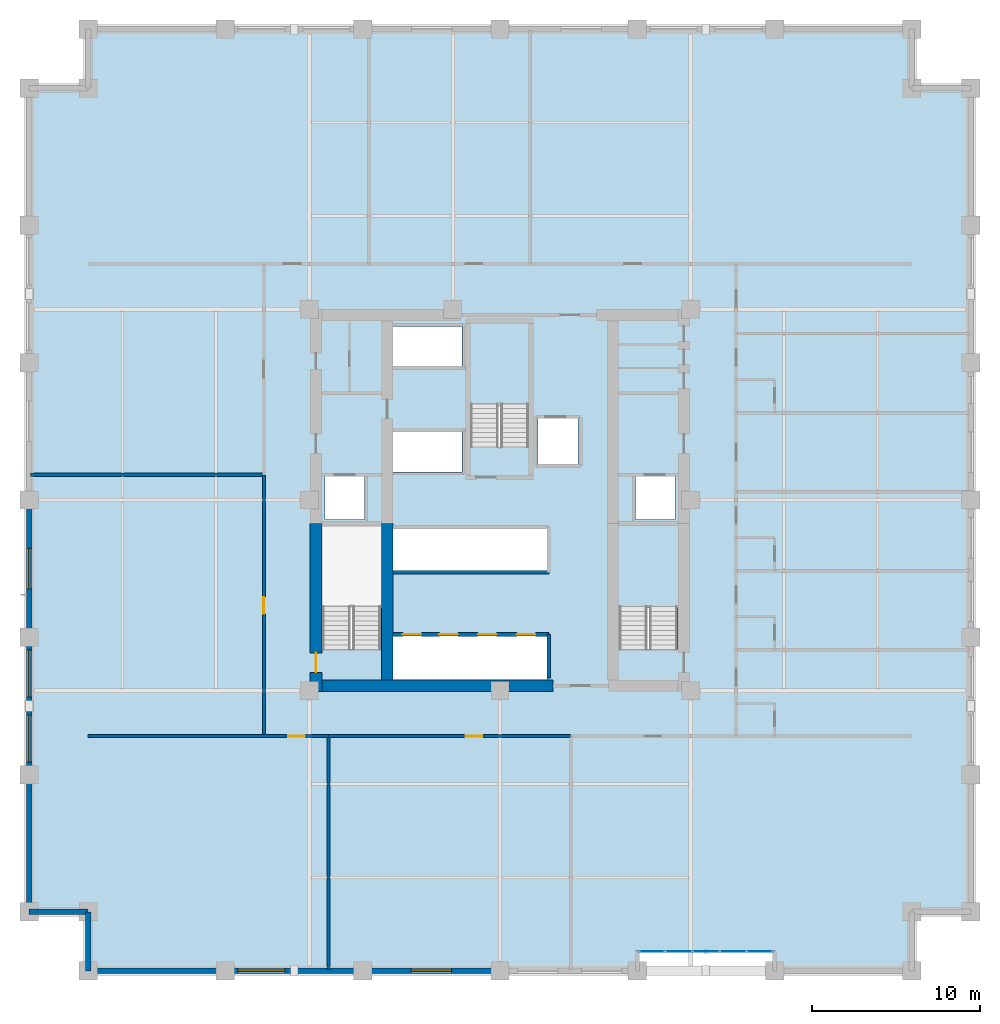
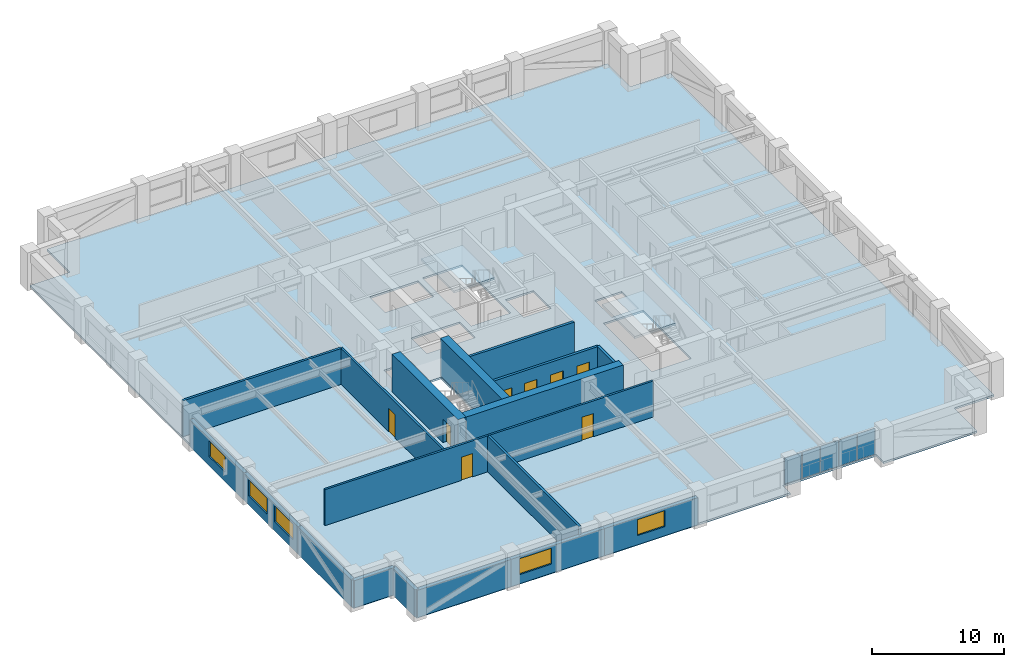
# One storey, part 5 of 11: 19 walls, 8 doors, 5 plates, 5 windows, 3 slabs, 13 openings, 3 elements without a shape of their own.
"""IFC4 building model written with IfcOpenShell, lengths in metres."""

from ifc_helpers import new_model, si_unit, direction, frame, frame_2d, origin, origin_2d, place, context, subcontext, project, spatial, polyline, rectangle, outline, extrude, material, layer, layer_set, type_object, element, fill, aggregate, save


model = new_model("IFC4")

# Units and contexts
model_context = context("Model", 3, precision=1e-05, world=origin(), true_north=direction((0.0, 1.0)))
body_context = subcontext(model_context, "Body", "Model", "MODEL_VIEW")
ifc_project = project(units=[si_unit("LENGTHUNIT", "METRE"), si_unit("AREAUNIT", "SQUARE_METRE"), si_unit("VOLUMEUNIT", "CUBIC_METRE"), si_unit("PLANEANGLEUNIT", "RADIAN"), si_unit("MASSUNIT", "GRAM", prefix="KILO")], contexts=[model_context])

# Site, building, storey
site_placement = place(None, origin())
site = spatial("IfcSite", under=ifc_project, at=site_placement, CompositionType="ELEMENT")
building_placement = place(site_placement, origin())
building = spatial("IfcBuilding", under=site, at=building_placement, Name="Nhamokura Convention Tower", CompositionType="ELEMENT")
storey_placement = place(building_placement, frame((0.0, 0.0, 70.35009765625)))
storey = spatial("IfcBuildingStorey", under=building, at=storey_placement, Name="L16", CompositionType="ELEMENT", Elevation=70.35009765625)

# Curtain wall, plates
ifc_material_1 = material(Name="Anodised bronze aluminium AA6063-T6", Category="aluminium")
ifc_layer_1 = layer(ifc_material_1, 0.1650390625)
ifc_layer_set_1 = layer_set([ifc_layer_1], Name="CWSystem_ScaleSlot_Zone1")
curtain_wall_type = type_object("IfcCurtainWallType", Name="CWSystem_ScaleSlot_Zone1", PredefinedType="NOTDEFINED", material=ifc_layer_set_1)
curtain_wall_placement = place(storey_placement, origin())
curtain_wall = element("IfcCurtainWall", 1, at=curtain_wall_placement, inside=storey, type_object=curtain_wall_type, Name="L16 Curtain Wall ENV-L16-SLOT-S4", PredefinedType="NOTDEFINED")
ifc_material_2 = material(Name="Solar-control bronze low-E double glass", Category="glass")
ifc_layer_2 = layer(ifc_material_2, 0.031982421875)
ifc_layer_set_2 = layer_set([ifc_layer_2], Name="CWGlazedPanel_1")
plate_type = type_object("IfcPlateType", Name="CWGlazedPanel_1", PredefinedType="CURTAIN_PANEL", material=ifc_layer_set_2)
plate_1_placement = place(storey_placement, frame((47.452392578125, 5.14990234375, 0.06494140625), z_axis=(0.0, 0.0, 1.0), x_axis=(-1.0, 0.0, 0.0)))
plate_1 = element("IfcPlate", 2, at=plate_1_placement, type_object=plate_type, Name="CW-03 panel 1.1", PredefinedType="CURTAIN_PANEL", context=body_context, shape_type="SweptSolid", body=[
    extrude(rectangle(XDim=1.51171875, YDim=0.031982421875, at=origin_2d()), origin(), (0.0, 0.0, 1.0), 2.389892578125),
])
plate_2_placement = place(storey_placement, frame((45.859375, 5.14990234375, 0.06494140625), z_axis=(0.0, 0.0, 1.0), x_axis=(-1.0, 0.0, 0.0)))
plate_2 = element("IfcPlate", 3, at=plate_2_placement, type_object=plate_type, Name="CW-03 panel 2.1", PredefinedType="CURTAIN_PANEL", context=body_context, shape_type="SweptSolid", body=[
    extrude(rectangle(XDim=1.54443359375, YDim=0.031982421875, at=origin_2d()), origin(), (0.0, 0.0, 1.0), 2.389892578125),
])
plate_3_placement = place(storey_placement, frame((44.25, 5.14990234375, 0.06494140625), z_axis=(0.0, 0.0, 1.0), x_axis=(-1.0, 0.0, 0.0)))
plate_3 = element("IfcPlate", 4, at=plate_3_placement, type_object=plate_type, Name="CW-03 panel 3.1", PredefinedType="CURTAIN_PANEL", context=body_context, shape_type="SweptSolid", body=[
    extrude(rectangle(XDim=1.54443359375, YDim=0.031982421875, at=origin_2d()), origin(), (0.0, 0.0, 1.0), 2.389892578125),
])
plate_4_placement = place(storey_placement, frame((42.640625, 5.14990234375, 0.06494140625), z_axis=(0.0, 0.0, 1.0), x_axis=(-1.0, 0.0, 0.0)))
plate_4 = element("IfcPlate", 5, at=plate_4_placement, type_object=plate_type, Name="CW-03 panel 4.1", PredefinedType="CURTAIN_PANEL", context=body_context, shape_type="SweptSolid", body=[
    extrude(rectangle(XDim=1.54443359375, YDim=0.031982421875, at=origin_2d()), origin(), (0.0, 0.0, 1.0), 2.389892578125),
])
plate_5_placement = place(storey_placement, frame((41.047607421875, 5.14990234375, 0.06494140625), z_axis=(0.0, 0.0, 1.0), x_axis=(-1.0, 0.0, 0.0)))
plate_5 = element("IfcPlate", 6, at=plate_5_placement, type_object=plate_type, Name="CW-03 panel 5.1", PredefinedType="CURTAIN_PANEL", context=body_context, shape_type="SweptSolid", body=[
    extrude(rectangle(XDim=1.51171875, YDim=0.031982421875, at=origin_2d()), origin(), (0.0, 0.0, 1.0), 2.389892578125),
])
aggregate(curtain_wall, [plate_1, plate_2, plate_3, plate_4, plate_5])

# Slab
ifc_material_3 = material(Name="Concrete C40/50", Category="concrete")
ifc_layer_3 = layer(ifc_material_3, 0.179931640625)
ifc_layer_set_3 = layer_set([ifc_layer_3], Name="HotelFloorSlab_180")
slab_type_1 = type_object("IfcSlabType", Name="HotelFloorSlab_180", PredefinedType="FLOOR", material=ifc_layer_set_3)
slab_1_placement = place(storey_placement, frame((0.0, 0.0, -0.18017578125)))
element("IfcSlab", 7, at=slab_1_placement, inside=storey, type_object=slab_type_1, Name="L16 Structural Floor Slab", PredefinedType="FLOOR", context=body_context, shape_type="SweptSolid", body=[
    extrude(outline(polyline([(7.5, 4.0), (40.166748046875, 4.0), (40.166748046875, 5.14990234375), (48.333251953125, 5.14990234375), (48.333251953125, 4.0), (56.5, 4.0), (56.5, 7.5), (60.0, 7.5), (60.0, 56.5), (56.5, 56.5), (56.5, 60.0), (7.5, 60.0), (7.5, 56.5), (4.0, 56.5), (4.0, 7.5), (7.5, 7.5), (7.5, 4.0)]), holes=[polyline([(24.89990234375, 23.10009765625), (24.89990234375, 30.449951171875), (21.449951171875, 30.449951171875), (21.449951171875, 23.10009765625), (24.89990234375, 23.10009765625)]), polyline([(42.550048828125, 23.10009765625), (42.550048828125, 30.449951171875), (39.10009765625, 30.449951171875), (39.10009765625, 23.10009765625), (42.550048828125, 23.10009765625)]), polyline([(33.699951171875, 35.14990234375), (33.699951171875, 42.5), (30.25, 42.5), (30.25, 35.14990234375), (33.699951171875, 35.14990234375)]), polyline([(21.60009765625, 30.85009765625), (23.949951171875, 30.85009765625), (23.949951171875, 33.39990234375), (21.60009765625, 33.39990234375), (21.60009765625, 30.85009765625)]), polyline([(40.050048828125, 30.85009765625), (42.39990234375, 30.85009765625), (42.39990234375, 33.39990234375), (40.050048828125, 33.39990234375), (40.050048828125, 30.85009765625)]), polyline([(34.25, 34.14990234375), (36.64990234375, 34.14990234375), (36.64990234375, 36.85009765625), (34.25, 36.85009765625), (34.25, 34.14990234375)]), polyline([(25.52001953125, 21.320068359375), (34.800048828125, 21.320068359375), (34.800048828125, 23.89990234375), (25.52001953125, 23.89990234375), (25.52001953125, 21.320068359375)]), polyline([(25.52001953125, 27.800048828125), (34.800048828125, 27.800048828125), (34.800048828125, 30.300048828125), (25.52001953125, 30.300048828125), (25.52001953125, 27.800048828125)]), polyline([(25.52001953125, 33.679931640625), (29.75, 33.679931640625), (29.75, 36.050048828125), (25.52001953125, 36.050048828125), (25.52001953125, 33.679931640625)]), polyline([(25.52001953125, 39.949951171875), (29.75, 39.949951171875), (29.75, 42.320068359375), (25.52001953125, 42.320068359375), (25.52001953125, 39.949951171875)])]), origin(), (0.0, 0.0, 1.0), 0.18017578125),
])

# Stair, slab
ifc_material_4 = material(Name="Concrete C40/50", Category="concrete")
stair_type = type_object("IfcStairType", Name="TowerCoreStair_1650", PredefinedType="HALF_TURN_STAIR", material=ifc_material_4)
stair_1_placement = place(storey_placement, origin())
stair_1 = element("IfcStair", 8, at=stair_1_placement, inside=storey, type_object=stair_type, Name="L16 East Core Smokeproof Stair ST-02", PredefinedType="HALF_TURN_STAIR")
ifc_material_5 = material(Name="Concrete C40/50", Category="concrete")
ifc_layer_4 = layer(ifc_material_5, 0.199951171875)
ifc_layer_set_4 = layer_set([ifc_layer_4], Name="StairLandingSlab_200")
slab_type_2 = type_object("IfcSlabType", Name="StairLandingSlab_200", PredefinedType="LANDING", material=ifc_layer_set_4)
slab_2_placement = place(storey_placement, frame((0.0, 0.0, 1.5498046875)))
slab_2 = element("IfcSlab", 9, at=slab_2_placement, type_object=slab_type_2, Name="ST-02 landing 1", PredefinedType="LANDING", context=body_context, shape_type="SweptSolid", body=[
    extrude(outline(polyline([(42.6298828125, 25.5849609375), (42.6298828125, 30.530029296875), (39.02001953125, 30.530029296875), (39.02001953125, 25.5849609375), (42.6298828125, 25.5849609375)])), origin(), (0.0, 0.0, 1.0), 0.2001953125),
])
aggregate(stair_1, [slab_2])

stair_2_placement = place(storey_placement, origin())
stair_2 = element("IfcStair", 10, at=stair_2_placement, inside=storey, type_object=stair_type, Name="L16 North Core Smokeproof Stair ST-03", PredefinedType="HALF_TURN_STAIR")
slab_3_placement = place(storey_placement, frame((0.0, 0.0, 1.5498046875)))
slab_3 = element("IfcSlab", 11, at=slab_3_placement, type_object=slab_type_2, Name="ST-03 landing 1", PredefinedType="LANDING", context=body_context, shape_type="SweptSolid", body=[
    extrude(outline(polyline([(33.780029296875, 37.635009765625), (33.780029296875, 42.580078125), (30.169921875, 42.580078125), (30.169921875, 37.635009765625), (33.780029296875, 37.635009765625)])), origin(), (0.0, 0.0, 1.0), 0.2001953125),
])
aggregate(stair_2, [slab_3])

# Wall
ifc_material_6 = material(Name="Bronze-pigmented precast concrete C45/55", Category="concrete")
ifc_layer_5 = layer(ifc_material_6, 0.320068359375)
ifc_layer_set_5 = layer_set([ifc_layer_5], Name="BronzePrecastSpandrel_320")
wall_type_1 = type_object("IfcWallType", Name="BronzePrecastSpandrel_320", PredefinedType="USERDEFINED", material=ifc_layer_set_5)
wall_1_placement = place(storey_placement, frame((15.666748046875, 4.0, 0.0), z_axis=(0.0, 0.0, 1.0), x_axis=(-1.0, 0.0, 0.0)))
element("IfcWall", 12, at=wall_1_placement, inside=storey, type_object=wall_type_1, Name="L16 Braced-Bay Precast Wall SOUTH 0", ObjectType="SPANDREL_WALL", PredefinedType="USERDEFINED", context=body_context, shape_type="SweptSolid", body=[
    extrude(rectangle(XDim=8.166748046875, YDim=0.320068359375, at=frame_2d((4.08349609375, 0.0))), origin(), (0.0, 0.0, 1.0), 2.52001953125),
])

# Wall, opening, window
wall_2_placement = place(storey_placement, frame((23.833251953125, 4.0, 0.0), z_axis=(0.0, 0.0, 1.0), x_axis=(-1.0, 0.0, 0.0)))
wall_2 = element("IfcWall", 13, at=wall_2_placement, inside=storey, type_object=wall_type_1, Name="L16 Masonry-Frame Wall SOUTH 1", ObjectType="SPANDREL_WALL", PredefinedType="USERDEFINED", context=body_context, shape_type="SweptSolid", body=[
    extrude(rectangle(XDim=8.16650390625, YDim=0.320068359375, at=frame_2d((4.083251953125, 0.0))), origin(), (0.0, 0.0, 1.0), 2.52001953125),
])
opening_1_placement = place(wall_2_placement, frame((4.625, 0.0, 0.85009765625)))
opening_1 = element("IfcOpeningElement", 14, at=opening_1_placement, cuts=wall_2, Name="Opening W-04", PredefinedType="OPENING", context=body_context, shape_type="SweptSolid", body=[
    extrude(rectangle(XDim=2.800048828125, YDim=1.469970703125, at=frame_2d((1.39990234375, 0.73486328125))), frame((0.0, 0.169921875, 0.0), z_axis=(0.0, -1.0, 0.0), x_axis=(1.0, 0.0, 0.0)), (0.0, 0.0, 1.0), 0.340087890625),
])
ifc_material_7 = material(Name="Solar-control bronze low-E double glass", Category="glass")
window_type_1 = type_object("IfcWindowType", Name="HotelSuiteWindow_2800", PartitioningType="DOUBLE_PANEL_VERTICAL", PredefinedType="WINDOW", material=ifc_material_7)
window_1_placement = place(opening_1_placement, origin())
window_1 = element("IfcWindow", 15, at=window_1_placement, inside=storey, type_object=window_type_1, Name="L16 Facade Window SOUTH 1-3", OverallHeight=1.469970703125, OverallWidth=2.800048828125, PartitioningType="SINGLE_PANEL", PredefinedType="WINDOW", context=body_context, shape_type="SweptSolid", body=[
    extrude(rectangle(XDim=2.800048828125, YDim=1.469970703125, at=frame_2d((1.39990234375, 0.73486328125))), frame((0.0, 0.030029296875, 0.0), z_axis=(0.0, -1.0, 0.0), x_axis=(1.0, 0.0, 0.0)), (0.0, 0.0, 1.0), 0.06005859375),
])
fill(opening_1, window_1)

wall_3_placement = place(storey_placement, frame((32.0, 4.0, 0.0), z_axis=(0.0, 0.0, 1.0), x_axis=(-1.0, 0.0, 0.0)))
wall_3 = element("IfcWall", 16, at=wall_3_placement, inside=storey, type_object=wall_type_1, Name="L16 Masonry-Frame Wall SOUTH 2", ObjectType="SPANDREL_WALL", PredefinedType="USERDEFINED", context=body_context, shape_type="SweptSolid", body=[
    extrude(rectangle(XDim=8.166748046875, YDim=0.320068359375, at=frame_2d((4.08349609375, 0.0))), origin(), (0.0, 0.0, 1.0), 2.52001953125),
])
opening_2_placement = place(wall_3_placement, frame((2.88330078125, 0.0, 0.85009765625)))
opening_2 = element("IfcOpeningElement", 17, at=opening_2_placement, cuts=wall_3, Name="Opening W-03", PredefinedType="OPENING", context=body_context, shape_type="SweptSolid", body=[
    extrude(rectangle(XDim=2.39990234375, YDim=1.469970703125, at=frame_2d((1.199951171875, 0.73486328125))), frame((0.0, 0.169921875, 0.0), z_axis=(0.0, -1.0, 0.0), x_axis=(1.0, 0.0, 0.0)), (0.0, 0.0, 1.0), 0.340087890625),
])
ifc_material_8 = material(Name="Solar-control bronze low-E double glass", Category="glass")
window_type_2 = type_object("IfcWindowType", Name="HotelBayWindow_2400", PartitioningType="DOUBLE_PANEL_VERTICAL", PredefinedType="WINDOW", material=ifc_material_8)
window_2_placement = place(opening_2_placement, origin())
window_2 = element("IfcWindow", 18, at=window_2_placement, inside=storey, type_object=window_type_2, Name="L16 Facade Window SOUTH 2", OverallHeight=1.469970703125, OverallWidth=2.39990234375, PartitioningType="SINGLE_PANEL", PredefinedType="WINDOW", context=body_context, shape_type="SweptSolid", body=[
    extrude(rectangle(XDim=2.39990234375, YDim=1.469970703125, at=frame_2d((1.199951171875, 0.73486328125))), frame((0.0, 0.030029296875, 0.0), z_axis=(0.0, -1.0, 0.0), x_axis=(1.0, 0.0, 0.0)), (0.0, 0.0, 1.0), 0.06005859375),
])
fill(opening_2, window_2)

# Wall
wall_4_placement = place(storey_placement, frame((4.0, 7.5, 0.0), z_axis=(0.0, 0.0, 1.0), x_axis=(0.0, 1.0, 0.0)))
element("IfcWall", 19, at=wall_4_placement, inside=storey, type_object=wall_type_1, Name="L16 Braced-Bay Precast Wall WEST 0", ObjectType="SPANDREL_WALL", PredefinedType="USERDEFINED", context=body_context, shape_type="SweptSolid", body=[
    extrude(rectangle(XDim=8.166748046875, YDim=0.320068359375, at=frame_2d((4.08349609375, 0.0))), origin(), (0.0, 0.0, 1.0), 2.52001953125),
])

# Wall, openings, windows
wall_5_placement = place(storey_placement, frame((4.0, 15.666748046875, 0.0), z_axis=(0.0, 0.0, 1.0), x_axis=(0.0, 1.0, 0.0)))
wall_5 = element("IfcWall", 20, at=wall_5_placement, inside=storey, type_object=wall_type_1, Name="L16 Masonry-Frame Wall WEST 1", ObjectType="SPANDREL_WALL", PredefinedType="USERDEFINED", context=body_context, shape_type="SweptSolid", body=[
    extrude(rectangle(XDim=8.16650390625, YDim=0.320068359375, at=frame_2d((4.083251953125, 0.0))), origin(), (0.0, 0.0, 1.0), 2.52001953125),
])
opening_3_placement = place(wall_5_placement, frame((0.74169921875, 0.0, 0.85009765625)))
opening_3 = element("IfcOpeningElement", 21, at=opening_3_placement, cuts=wall_5, Name="Opening W-04", PredefinedType="OPENING", context=body_context, shape_type="SweptSolid", body=[
    extrude(rectangle(XDim=2.800048828125, YDim=1.469970703125, at=frame_2d((1.39990234375, 0.73486328125))), frame((0.0, 0.169921875, 0.0), z_axis=(0.0, -1.0, 0.0), x_axis=(1.0, 0.0, 0.0)), (0.0, 0.0, 1.0), 0.340087890625),
])
opening_4_placement = place(wall_5_placement, frame((4.625, 0.0, 0.85009765625)))
opening_4 = element("IfcOpeningElement", 22, at=opening_4_placement, cuts=wall_5, Name="Opening W-04", PredefinedType="OPENING", context=body_context, shape_type="SweptSolid", body=[
    extrude(rectangle(XDim=2.800048828125, YDim=1.469970703125, at=frame_2d((1.39990234375, 0.73486328125))), frame((0.0, 0.169921875, 0.0), z_axis=(0.0, -1.0, 0.0), x_axis=(1.0, 0.0, 0.0)), (0.0, 0.0, 1.0), 0.340087890625),
])
window_3_placement = place(opening_3_placement, origin())
window_3 = element("IfcWindow", 23, at=window_3_placement, inside=storey, type_object=window_type_1, Name="L16 Facade Window WEST 1-1", OverallHeight=1.469970703125, OverallWidth=2.800048828125, PartitioningType="SINGLE_PANEL", PredefinedType="WINDOW", context=body_context, shape_type="SweptSolid", body=[
    extrude(rectangle(XDim=2.800048828125, YDim=1.469970703125, at=frame_2d((1.39990234375, 0.73486328125))), frame((0.0, 0.030029296875, 0.0), z_axis=(0.0, -1.0, 0.0), x_axis=(1.0, 0.0, 0.0)), (0.0, 0.0, 1.0), 0.06005859375),
])
fill(opening_3, window_3)
window_4_placement = place(opening_4_placement, origin())
window_4 = element("IfcWindow", 24, at=window_4_placement, inside=storey, type_object=window_type_1, Name="L16 Facade Window WEST 1-2", OverallHeight=1.469970703125, OverallWidth=2.800048828125, PartitioningType="SINGLE_PANEL", PredefinedType="WINDOW", context=body_context, shape_type="SweptSolid", body=[
    extrude(rectangle(XDim=2.800048828125, YDim=1.469970703125, at=frame_2d((1.39990234375, 0.73486328125))), frame((0.0, 0.030029296875, 0.0), z_axis=(0.0, -1.0, 0.0), x_axis=(1.0, 0.0, 0.0)), (0.0, 0.0, 1.0), 0.06005859375),
])
fill(opening_4, window_4)

# Wall, opening, window
wall_6_placement = place(storey_placement, frame((4.0, 23.833251953125, 0.0), z_axis=(0.0, 0.0, 1.0), x_axis=(0.0, 1.0, 0.0)))
wall_6 = element("IfcWall", 25, at=wall_6_placement, inside=storey, type_object=wall_type_1, Name="L16 Masonry-Frame Wall WEST 2", ObjectType="SPANDREL_WALL", PredefinedType="USERDEFINED", context=body_context, shape_type="SweptSolid", body=[
    extrude(rectangle(XDim=8.166748046875, YDim=0.320068359375, at=frame_2d((4.08349609375, 0.0))), origin(), (0.0, 0.0, 1.0), 2.52001953125),
])
opening_5_placement = place(wall_6_placement, frame((2.88330078125, 0.0, 0.85009765625)))
opening_5 = element("IfcOpeningElement", 26, at=opening_5_placement, cuts=wall_6, Name="Opening W-03", PredefinedType="OPENING", context=body_context, shape_type="SweptSolid", body=[
    extrude(rectangle(XDim=2.39990234375, YDim=1.469970703125, at=frame_2d((1.199951171875, 0.73486328125))), frame((0.0, 0.169921875, 0.0), z_axis=(0.0, -1.0, 0.0), x_axis=(1.0, 0.0, 0.0)), (0.0, 0.0, 1.0), 0.340087890625),
])
window_5_placement = place(opening_5_placement, origin())
window_5 = element("IfcWindow", 27, at=window_5_placement, inside=storey, type_object=window_type_2, Name="L16 Facade Window WEST 2", OverallHeight=1.469970703125, OverallWidth=2.39990234375, PartitioningType="SINGLE_PANEL", PredefinedType="WINDOW", context=body_context, shape_type="SweptSolid", body=[
    extrude(rectangle(XDim=2.39990234375, YDim=1.469970703125, at=frame_2d((1.199951171875, 0.73486328125))), frame((0.0, 0.030029296875, 0.0), z_axis=(0.0, -1.0, 0.0), x_axis=(1.0, 0.0, 0.0)), (0.0, 0.0, 1.0), 0.06005859375),
])
fill(opening_5, window_5)

# Walls
for number, where, z_axis, x_axis, name in (
    (28, (7.5, 4.0, 0.0), (0.0, 0.0, 1.0), (0.0, 1.0, 0.0), "L16 Notched Corner Wall SW1"),
    (29, (7.5, 7.5, 0.0), (0.0, 0.0, 1.0), (-1.0, 0.0, 0.0), "L16 Notched Corner Wall SW2"),
):
    element("IfcWall", number, at=place(storey_placement, frame(where, z_axis=z_axis, x_axis=x_axis)), inside=storey, type_object=wall_type_1, Name=name, ObjectType="SPANDREL_WALL", PredefinedType="USERDEFINED", context=body_context, shape_type="SweptSolid", body=[
        extrude(rectangle(XDim=3.5, YDim=0.320068359375, at=frame_2d((1.75, 0.0))), origin(), (0.0, 0.0, 1.0), 2.52001953125),
    ])

# Wall, opening, door
ifc_material_9 = material(Name="Concrete C70/85", Category="concrete")
ifc_layer_6 = layer(ifc_material_9, 0.699951171875)
ifc_layer_set_6 = layer_set([ifc_layer_6], Name="CoreShearWall_700")
wall_type_2 = type_object("IfcWallType", Name="CoreShearWall_700", PredefinedType="SHEAR", material=ifc_layer_set_6)
wall_7_placement = place(storey_placement, frame((21.06005859375, 20.60009765625, 0.0), z_axis=(0.0, 0.0, 1.0), x_axis=(0.0, 1.0, 0.0)))
wall_7 = element("IfcWall", 30, at=wall_7_placement, inside=storey, type_object=wall_type_2, Name="L16 Core Shear Wall CW-WS", PredefinedType="SHEAR", context=body_context, shape_type="SweptSolid", body=[
    extrude(rectangle(XDim=10.0, YDim=0.699951171875, at=frame_2d((5.0, 0.0))), origin(), (0.0, 0.0, 1.0), 3.5),
])
opening_6_placement = place(wall_7_placement, frame((1.14990234375, 0.0, 0.0)))
opening_6 = element("IfcOpeningElement", 31, at=opening_6_placement, cuts=wall_7, Name="Opening D-04", PredefinedType="OPENING", context=body_context, shape_type="SweptSolid", body=[
    extrude(rectangle(XDim=1.14990234375, YDim=2.14990234375, at=frame_2d((0.574951171875, 1.074951171875))), frame((0.0, 0.35986328125, 0.0), z_axis=(0.0, -1.0, 0.0), x_axis=(1.0, 0.0, 0.0)), (0.0, 0.0, 1.0), 0.719970703125),
])
ifc_material_10 = material(Name="Fire-rated steel door", Category="steel")
door_type_1 = type_object("IfcDoorType", Name="StairSmokeDoor_1150", OperationType="NOTDEFINED", PredefinedType="DOOR", material=ifc_material_10)
door_1_placement = place(opening_6_placement, origin())
door_1 = element("IfcDoor", 32, at=door_1_placement, inside=storey, type_object=door_type_1, Name="L16 Core Door INT-L16-D-ST01", OperationType="SINGLE_SWING_LEFT", OverallHeight=2.14990234375, OverallWidth=1.14990234375, PredefinedType="DOOR", context=body_context, shape_type="SweptSolid", body=[
    extrude(rectangle(XDim=1.14990234375, YDim=2.14990234375, at=frame_2d((0.574951171875, 1.074951171875))), frame((0.0, 0.02490234375, 0.0), z_axis=(0.0, -1.0, 0.0), x_axis=(1.0, 0.0, 0.0)), (0.0, 0.0, 1.0), 0.050048828125),
])
fill(opening_6, door_1)

# Walls
wall_8_placement = place(storey_placement, frame((21.409912109375, 20.949951171875, 0.0), z_axis=(0.0, 0.0, 1.0), x_axis=(1.0, 0.0, 0.0)))
element("IfcWall", 33, at=wall_8_placement, inside=storey, type_object=wall_type_2, Name="L16 Core Shear Wall CW-S1", PredefinedType="SHEAR", context=body_context, shape_type="SweptSolid", body=[
    extrude(rectangle(XDim=13.739990234375, YDim=0.699951171875, at=frame_2d((6.8701171875, 0.0))), origin(), (0.0, 0.0, 1.0), 3.5),
])
wall_9_placement = place(storey_placement, frame((25.2900390625, 21.300048828125, 0.0), z_axis=(0.0, 0.0, 1.0), x_axis=(0.0, 1.0, 0.0)))
element("IfcWall", 34, at=wall_9_placement, inside=storey, type_object=wall_type_2, Name="L16 Core Shear Wall CW-IWS", PredefinedType="SHEAR", context=body_context, shape_type="SweptSolid", body=[
    extrude(rectangle(XDim=9.300048828125, YDim=0.699951171875, at=frame_2d((4.64990234375, 0.0))), origin(), (0.0, 0.0, 1.0), 3.5),
])

# Wall, opening, door
ifc_material_11 = material(Name="Fire-rated gypsum and masonry partition", Category="masonry")
ifc_layer_7 = layer(ifc_material_11, 0.179931640625)
ifc_layer_set_7 = layer_set([ifc_layer_7], Name="CorridorRatedWall_180")
wall_type_3 = type_object("IfcWallType", Name="CorridorRatedWall_180", PredefinedType="STANDARD", material=ifc_layer_set_7)
wall_10_placement = place(storey_placement, frame((7.5, 17.949951171875, 0.0), z_axis=(0.0, 0.0, 1.0), x_axis=(1.0, 0.0, 0.0)))
wall_10 = element("IfcWall", 35, at=wall_10_placement, inside=storey, type_object=wall_type_3, Name="L16 Wall INT-L16-CW-S00", PredefinedType="STANDARD", context=body_context, shape_type="SweptSolid", body=[
    extrude(rectangle(XDim=14.300048828125, YDim=0.179931640625, at=frame_2d((7.14990234375, 0.0))), origin(), (0.0, 0.0, 1.0), 3.31982421875),
])
opening_7_placement = place(wall_10_placement, frame((11.89990234375, 0.0, 0.0)))
opening_7 = element("IfcOpeningElement", 36, at=opening_7_placement, cuts=wall_10, Name="Opening D-07", PredefinedType="OPENING", context=body_context, shape_type="SweptSolid", body=[
    extrude(rectangle(XDim=1.0, YDim=2.14990234375, at=frame_2d((0.5, 1.074951171875))), frame((0.0, 0.099853515625, 0.0), z_axis=(0.0, -1.0, 0.0), x_axis=(1.0, 0.0, 0.0)), (0.0, 0.0, 1.0), 0.199951171875),
])
ifc_material_12 = material(Name="Solid oak hardwood", Category="wood")
door_type_2 = type_object("IfcDoorType", Name="HotelSuiteEntryDoor_1000", OperationType="NOTDEFINED", PredefinedType="DOOR", material=ifc_material_12)
door_2_placement = place(opening_7_placement, origin())
door_2 = element("IfcDoor", 37, at=door_2_placement, inside=storey, type_object=door_type_2, Name="L16 Conference Salon S01 Door", OperationType="SINGLE_SWING_LEFT", OverallHeight=2.14990234375, OverallWidth=1.0, PredefinedType="DOOR", context=body_context, shape_type="SweptSolid", body=[
    extrude(rectangle(XDim=1.0, YDim=2.14990234375, at=frame_2d((0.5, 1.074951171875))), frame((0.0, 0.02490234375, 0.0), z_axis=(0.0, -1.0, 0.0), x_axis=(1.0, 0.0, 0.0)), (0.0, 0.0, 1.0), 0.050048828125),
])
fill(opening_7, door_2)

wall_11_placement = place(storey_placement, frame((21.800048828125, 17.949951171875, 0.0), z_axis=(0.0, 0.0, 1.0), x_axis=(1.0, 0.0, 0.0)))
wall_11 = element("IfcWall", 38, at=wall_11_placement, inside=storey, type_object=wall_type_3, Name="L16 Wall INT-L16-CW-S01", PredefinedType="STANDARD", context=body_context, shape_type="SweptSolid", body=[
    extrude(rectangle(XDim=14.39990234375, YDim=0.179931640625, at=frame_2d((7.199951171875, 0.0))), origin(), (0.0, 0.0, 1.0), 3.31982421875),
])
opening_8_placement = place(wall_11_placement, frame((8.14990234375, 0.0, 0.0)))
opening_8 = element("IfcOpeningElement", 39, at=opening_8_placement, cuts=wall_11, Name="Opening D-07", PredefinedType="OPENING", context=body_context, shape_type="SweptSolid", body=[
    extrude(rectangle(XDim=1.0, YDim=2.14990234375, at=frame_2d((0.5, 1.074951171875))), frame((0.0, 0.099853515625, 0.0), z_axis=(0.0, -1.0, 0.0), x_axis=(1.0, 0.0, 0.0)), (0.0, 0.0, 1.0), 0.199951171875),
])
door_3_placement = place(opening_8_placement, origin())
door_3 = element("IfcDoor", 40, at=door_3_placement, inside=storey, type_object=door_type_2, Name="L16 Conference Salon S02 Door", OperationType="SINGLE_SWING_RIGHT", OverallHeight=2.14990234375, OverallWidth=1.0, PredefinedType="DOOR", context=body_context, shape_type="SweptSolid", body=[
    extrude(rectangle(XDim=1.0, YDim=2.14990234375, at=frame_2d((0.5, 1.074951171875))), frame((0.0, 0.02490234375, 0.0), z_axis=(0.0, -1.0, 0.0), x_axis=(1.0, 0.0, 0.0)), (0.0, 0.0, 1.0), 0.050048828125),
])
fill(opening_8, door_3)

wall_12_placement = place(storey_placement, frame((17.949951171875, 17.949951171875, 0.0), z_axis=(0.0, 0.0, 1.0), x_axis=(0.0, 1.0, 0.0)))
wall_12 = element("IfcWall", 41, at=wall_12_placement, inside=storey, type_object=wall_type_3, Name="L16 Wall INT-L16-CW-W00", PredefinedType="STANDARD", context=body_context, shape_type="SweptSolid", body=[
    extrude(rectangle(XDim=15.550048828125, YDim=0.179931640625, at=frame_2d((7.77490234375, 0.0))), origin(), (0.0, 0.0, 1.0), 3.31982421875),
])
opening_9_placement = place(wall_12_placement, frame((7.27490234375, 0.0, 0.0)))
opening_9 = element("IfcOpeningElement", 42, at=opening_9_placement, cuts=wall_12, Name="Opening D-07", PredefinedType="OPENING", context=body_context, shape_type="SweptSolid", body=[
    extrude(rectangle(XDim=1.0, YDim=2.14990234375, at=frame_2d((0.5, 1.074951171875))), frame((0.0, 0.099853515625, 0.0), z_axis=(0.0, -1.0, 0.0), x_axis=(1.0, 0.0, 0.0)), (0.0, 0.0, 1.0), 0.199951171875),
])
door_4_placement = place(opening_9_placement, origin())
door_4 = element("IfcDoor", 43, at=door_4_placement, inside=storey, type_object=door_type_2, Name="L16 Hotel Club Dining Room W01 Door", OperationType="SINGLE_SWING_LEFT", OverallHeight=2.14990234375, OverallWidth=1.0, PredefinedType="DOOR", context=body_context, shape_type="SweptSolid", body=[
    extrude(rectangle(XDim=1.0, YDim=2.14990234375, at=frame_2d((0.5, 1.074951171875))), frame((0.0, 0.02490234375, 0.0), z_axis=(0.0, -1.0, 0.0), x_axis=(1.0, 0.0, 0.0)), (0.0, 0.0, 1.0), 0.050048828125),
])
fill(opening_9, door_4)

# Wall, openings, doors
ifc_material_13 = material(Name="Autoclaved concrete blockwork", Category="masonry")
ifc_layer_8 = layer(ifc_material_13, 0.219970703125)
ifc_layer_set_8 = layer_set([ifc_layer_8], Name="FireLobbyWall_220")
wall_type_4 = type_object("IfcWallType", Name="FireLobbyWall_220", PredefinedType="STANDARD", material=ifc_layer_set_8)
wall_13_placement = place(storey_placement, frame((25.64990234375, 24.0, 0.0), z_axis=(0.0, 0.0, 1.0), x_axis=(1.0, 0.0, 0.0)))
wall_13 = element("IfcWall", 44, at=wall_13_placement, inside=storey, type_object=wall_type_4, Name="L16 Wall INT-L16-B1N", PredefinedType="STANDARD", context=body_context, shape_type="SweptSolid", body=[
    extrude(rectangle(XDim=9.25, YDim=0.219970703125, at=frame_2d((4.625, 0.0))), origin(), (0.0, 0.0, 1.0), 3.31982421875),
])
opening_10_placement = place(wall_13_placement, frame((0.580078125, 0.0, 0.0)))
opening_10 = element("IfcOpeningElement", 45, at=opening_10_placement, cuts=wall_13, Name="Opening LD-01", PredefinedType="OPENING", context=body_context, shape_type="SweptSolid", body=[
    extrude(rectangle(XDim=1.10009765625, YDim=2.14990234375, at=frame_2d((0.550048828125, 1.074951171875))), frame((0.0, 0.119873046875, 0.0), z_axis=(0.0, -1.0, 0.0), x_axis=(1.0, 0.0, 0.0)), (0.0, 0.0, 1.0), 0.239990234375),
])
opening_11_placement = place(wall_13_placement, frame((2.75, 0.0, 0.0)))
opening_11 = element("IfcOpeningElement", 46, at=opening_11_placement, cuts=wall_13, Name="Opening LD-01", PredefinedType="OPENING", context=body_context, shape_type="SweptSolid", body=[
    extrude(rectangle(XDim=1.10009765625, YDim=2.14990234375, at=frame_2d((0.550048828125, 1.074951171875))), frame((0.0, 0.119873046875, 0.0), z_axis=(0.0, -1.0, 0.0), x_axis=(1.0, 0.0, 0.0)), (0.0, 0.0, 1.0), 0.239990234375),
])
opening_12_placement = place(wall_13_placement, frame((5.050048828125, 0.0, 0.0)))
opening_12 = element("IfcOpeningElement", 47, at=opening_12_placement, cuts=wall_13, Name="Opening LD-01", PredefinedType="OPENING", context=body_context, shape_type="SweptSolid", body=[
    extrude(rectangle(XDim=1.10009765625, YDim=2.14990234375, at=frame_2d((0.550048828125, 1.074951171875))), frame((0.0, 0.119873046875, 0.0), z_axis=(0.0, -1.0, 0.0), x_axis=(1.0, 0.0, 0.0)), (0.0, 0.0, 1.0), 0.239990234375),
])
opening_13_placement = place(wall_13_placement, frame((7.35009765625, 0.0, 0.0)))
opening_13 = element("IfcOpeningElement", 48, at=opening_13_placement, cuts=wall_13, Name="Opening LD-01", PredefinedType="OPENING", context=body_context, shape_type="SweptSolid", body=[
    extrude(rectangle(XDim=1.10009765625, YDim=2.14990234375, at=frame_2d((0.550048828125, 1.074951171875))), frame((0.0, 0.119873046875, 0.0), z_axis=(0.0, -1.0, 0.0), x_axis=(1.0, 0.0, 0.0)), (0.0, 0.0, 1.0), 0.239990234375),
])
ifc_material_14 = material(Name="Anodised bronze stainless steel", Category="steel")
door_type_3 = type_object("IfcDoorType", Name="LiftLandingDoor_Passenger", OperationType="DOUBLE_DOOR_SLIDING", PredefinedType="DOOR", material=ifc_material_14)
door_5_placement = place(opening_10_placement, origin())
door_5 = element("IfcDoor", 49, at=door_5_placement, inside=storey, type_object=door_type_3, Name="L16 Lift LP-01 Landing Door", OperationType="DOUBLE_DOOR_SLIDING", OverallHeight=2.14990234375, OverallWidth=1.10009765625, PredefinedType="DOOR", context=body_context, shape_type="SweptSolid", body=[
    extrude(rectangle(XDim=1.10009765625, YDim=2.14990234375, at=frame_2d((0.550048828125, 1.074951171875))), frame((0.0, 0.02490234375, 0.0), z_axis=(0.0, -1.0, 0.0), x_axis=(1.0, 0.0, 0.0)), (0.0, 0.0, 1.0), 0.050048828125),
])
fill(opening_10, door_5)
door_6_placement = place(opening_11_placement, origin())
door_6 = element("IfcDoor", 50, at=door_6_placement, inside=storey, type_object=door_type_3, Name="L16 Lift LP-02 Landing Door", OperationType="DOUBLE_DOOR_SLIDING", OverallHeight=2.14990234375, OverallWidth=1.10009765625, PredefinedType="DOOR", context=body_context, shape_type="SweptSolid", body=[
    extrude(rectangle(XDim=1.10009765625, YDim=2.14990234375, at=frame_2d((0.550048828125, 1.074951171875))), frame((0.0, 0.02490234375, 0.0), z_axis=(0.0, -1.0, 0.0), x_axis=(1.0, 0.0, 0.0)), (0.0, 0.0, 1.0), 0.050048828125),
])
fill(opening_11, door_6)
door_7_placement = place(opening_12_placement, origin())
door_7 = element("IfcDoor", 51, at=door_7_placement, inside=storey, type_object=door_type_3, Name="L16 Lift LP-03 Landing Door", OperationType="DOUBLE_DOOR_SLIDING", OverallHeight=2.14990234375, OverallWidth=1.10009765625, PredefinedType="DOOR", context=body_context, shape_type="SweptSolid", body=[
    extrude(rectangle(XDim=1.10009765625, YDim=2.14990234375, at=frame_2d((0.550048828125, 1.074951171875))), frame((0.0, 0.02490234375, 0.0), z_axis=(0.0, -1.0, 0.0), x_axis=(1.0, 0.0, 0.0)), (0.0, 0.0, 1.0), 0.050048828125),
])
fill(opening_12, door_7)
door_8_placement = place(opening_13_placement, origin())
door_8 = element("IfcDoor", 52, at=door_8_placement, inside=storey, type_object=door_type_3, Name="L16 Lift LP-04 Landing Door", OperationType="DOUBLE_DOOR_SLIDING", OverallHeight=2.14990234375, OverallWidth=1.10009765625, PredefinedType="DOOR", context=body_context, shape_type="SweptSolid", body=[
    extrude(rectangle(XDim=1.10009765625, YDim=2.14990234375, at=frame_2d((0.550048828125, 1.074951171875))), frame((0.0, 0.02490234375, 0.0), z_axis=(0.0, -1.0, 0.0), x_axis=(1.0, 0.0, 0.0)), (0.0, 0.0, 1.0), 0.050048828125),
])
fill(opening_13, door_8)

# Walls
wall_14_placement = place(storey_placement, frame((34.89990234375, 21.39990234375, 0.0), z_axis=(0.0, 0.0, 1.0), x_axis=(0.0, 1.0, 0.0)))
element("IfcWall", 53, at=wall_14_placement, inside=storey, type_object=wall_type_4, Name="L16 Wall INT-L16-B1E", PredefinedType="STANDARD", context=body_context, shape_type="SweptSolid", body=[
    extrude(rectangle(XDim=2.60009765625, YDim=0.219970703125, at=frame_2d((1.300048828125, 0.0))), origin(), (0.0, 0.0, 1.0), 3.31982421875),
])
wall_15_placement = place(storey_placement, frame((25.64990234375, 27.699951171875, 0.0), z_axis=(0.0, 0.0, 1.0), x_axis=(1.0, 0.0, 0.0)))
element("IfcWall", 54, at=wall_15_placement, inside=storey, type_object=wall_type_4, Name="L16 Wall INT-L16-B2S", PredefinedType="STANDARD", context=body_context, shape_type="SweptSolid", body=[
    extrude(rectangle(XDim=9.25, YDim=0.219970703125, at=frame_2d((4.625, 0.0))), origin(), (0.0, 0.0, 1.0), 3.31982421875),
])
ifc_material_15 = material(Name="Acoustic twin-stud gypsum partition", Category="masonry")
ifc_layer_9 = layer(ifc_material_15, 0.199951171875)
ifc_layer_set_9 = layer_set([ifc_layer_9], Name="HotelDemisingWall_200")
wall_type_5 = type_object("IfcWallType", Name="HotelDemisingWall_200", PredefinedType="STANDARD", material=ifc_layer_set_9)
for number, where, z_axis, x_axis, name in (
    (55, (21.800048828125, 4.06005859375, 0.0), (0.0, 0.0, 1.0), (0.0, 1.0, 0.0), "L16 Wall INT-L16-RW-S01"),
    (56, (4.06005859375, 33.5, 0.0), (0.0, 0.0, 1.0), (1.0, 0.0, 0.0), "L16 Wall INT-L16-RW-W01"),
):
    element("IfcWall", number, at=place(storey_placement, frame(where, z_axis=z_axis, x_axis=x_axis)), inside=storey, type_object=wall_type_5, Name=name, PredefinedType="STANDARD", context=body_context, shape_type="SweptSolid", body=[
        extrude(rectangle(XDim=13.889892578125, YDim=0.199951171875, at=frame_2d((6.94482421875, 0.0))), origin(), (0.0, 0.0, 1.0), 3.31982421875),
    ])

save(model, "model.ifc")
